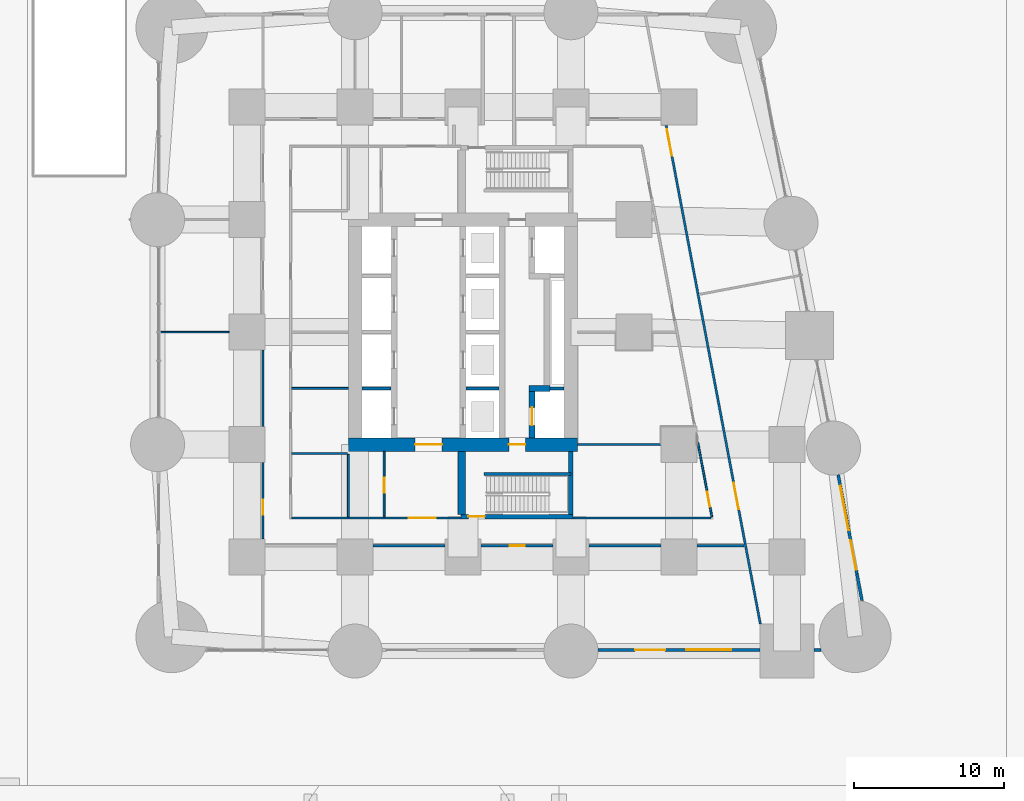
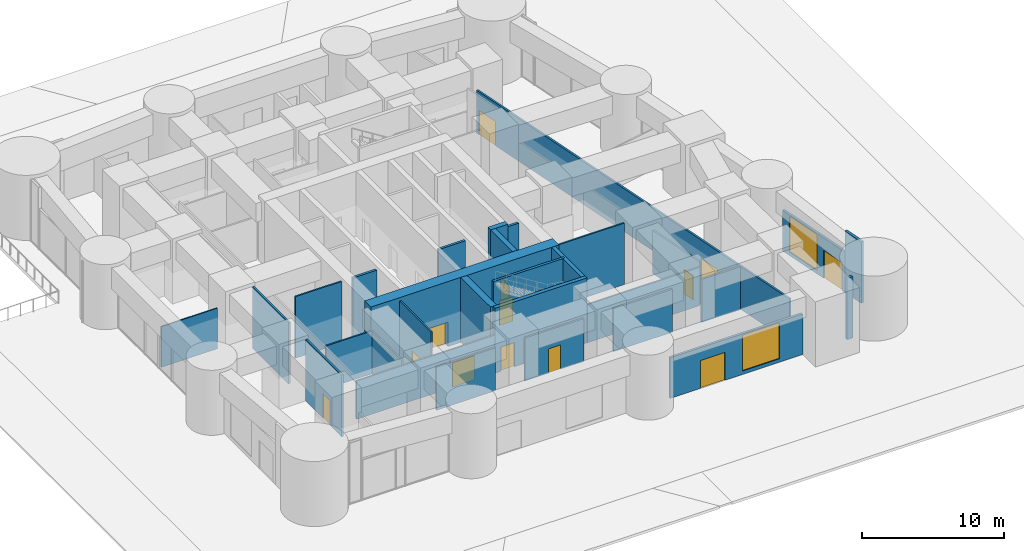
# One storey, part 9 of 16: 30 walls, 13 doors, 2 windows, 15 openings.
"""IFC4 building model written with IfcOpenShell, lengths in metres."""

from ifc_helpers import new_model, si_unit, direction, frame, frame_2d, origin, place, context, subcontext, project, spatial, rectangle, extrude, material, layer, layer_set, type_object, element, fill, save


model = new_model("IFC4")

# Units and contexts
model_context = context("Model", 3, precision=1e-05, world=origin(), true_north=direction((0.0, 1.0)))
body_context = subcontext(model_context, "Body", "Model", "MODEL_VIEW")
ifc_project = project(units=[si_unit("LENGTHUNIT", "METRE"), si_unit("AREAUNIT", "SQUARE_METRE"), si_unit("VOLUMEUNIT", "CUBIC_METRE"), si_unit("PLANEANGLEUNIT", "RADIAN"), si_unit("MASSUNIT", "GRAM", prefix="KILO")], contexts=[model_context])

# Site, building, storey
site_placement = place(None, origin())
site = spatial("IfcSite", under=ifc_project, at=site_placement, CompositionType="ELEMENT")
building_placement = place(site_placement, origin())
building = spatial("IfcBuilding", under=site, at=building_placement, Name="Sheger Commons Tower", CompositionType="ELEMENT")
storey_placement = place(building_placement, origin())
storey = spatial("IfcBuildingStorey", under=building, at=storey_placement, Name="L00", CompositionType="ELEMENT", Elevation=0.0)

# Wall, opening, door
ifc_material_1 = material(Name="Concrete C50/60", Category="concrete")
ifc_layer_1 = layer(ifc_material_1, 0.39990234375)
ifc_layer_set_1 = layer_set([ifc_layer_1], Name="CORE INNER WALL 400")
wall_type_1 = type_object("IfcWallType", Name="CORE INNER WALL 400", PredefinedType="SHEAR", material=ifc_layer_set_1)
wall_1_placement = place(storey_placement, frame((26.199951171875, 15.449951171875, 0.0), z_axis=(0.0, 0.0, 1.0), x_axis=(0.0, 1.0, 0.0)))
wall_1 = element("IfcWall", 1, at=wall_1_placement, inside=storey, type_object=wall_type_1, Name="Core inner wall F L00", PredefinedType="SHEAR", context=body_context, shape_type="SweptSolid", body=[
    extrude(rectangle(XDim=3.10009765625, YDim=0.39990234375, at=frame_2d((1.550048828125, 0.0))), origin(), (0.0, 0.0, 1.0), 5.60009765625),
])
opening_1_placement = place(wall_1_placement, frame((0.824951171875, 0.0, 0.0)))
opening_1 = element("IfcOpeningElement", 2, at=opening_1_placement, cuts=wall_1, Name="Opening LD2", PredefinedType="OPENING", context=body_context, shape_type="SweptSolid", body=[
    extrude(rectangle(XDim=1.199951171875, YDim=2.10009765625, at=frame_2d((0.60009765625, 1.050048828125))), frame((0.0, 0.2099609375, 0.0), z_axis=(0.0, -1.0, 0.0), x_axis=(1.0, 0.0, 0.0)), (0.0, 0.0, 1.0), 0.419921875),
])
ifc_material_2 = material(Name="Steel door set, fire rated", Category="steel")
door_type_1 = type_object("IfcDoorType", Name="FIREFIGHTING LIFT LANDING DOOR 1200x2100", OperationType="DOUBLE_DOOR_SLIDING", PredefinedType="DOOR", material=ifc_material_2)
door_1_placement = place(opening_1_placement, origin())
door_1 = element("IfcDoor", 3, at=door_1_placement, inside=storey, type_object=door_type_1, Name="Lift FL1 landing door", OperationType="DOUBLE_DOOR_SLIDING", OverallHeight=2.10009765625, OverallWidth=1.199951171875, PredefinedType="DOOR", context=body_context, shape_type="SweptSolid", body=[
    extrude(rectangle(XDim=1.199951171875, YDim=2.10009765625, at=frame_2d((0.60009765625, 1.050048828125))), frame((0.0, 0.02490234375, 0.0), z_axis=(0.0, -1.0, 0.0), x_axis=(1.0, 0.0, 0.0)), (0.0, 0.0, 1.0), 0.050048828125),
])
fill(opening_1, door_1)

# Wall
wall_2_placement = place(storey_placement, frame((26.0, 18.75, 0.0), z_axis=(0.0, 0.0, 1.0), x_axis=(1.0, 0.0, 0.0)))
element("IfcWall", 4, at=wall_2_placement, inside=storey, type_object=wall_type_1, Name="Core inner wall F south return L00", PredefinedType="SHEAR", context=body_context, shape_type="SweptSolid", body=[
    extrude(rectangle(XDim=1.39990234375, YDim=0.39990234375, at=frame_2d((0.699951171875, 0.0))), origin(), (0.0, 0.0, 1.0), 5.60009765625),
])

# Wall, openings, doors
ifc_material_3 = material(Name="Concrete C50/60", Category="concrete")
ifc_layer_2 = layer(ifc_material_3, 0.89990234375)
ifc_layer_set_2 = layer_set([ifc_layer_2], Name="CORE WALL 900")
wall_type_2 = type_object("IfcWallType", Name="CORE WALL 900", PredefinedType="SHEAR", material=ifc_layer_set_2)
wall_3_placement = place(storey_placement, frame((13.949951171875, 15.0, 0.0), z_axis=(0.0, 0.0, 1.0), x_axis=(1.0, 0.0, 0.0)))
wall_3 = element("IfcWall", 5, at=wall_3_placement, inside=storey, type_object=wall_type_2, Name="Core wall south L00", PredefinedType="SHEAR", context=body_context, shape_type="SweptSolid", body=[
    extrude(rectangle(XDim=15.300048828125, YDim=0.89990234375, at=frame_2d((7.64990234375, 0.0))), origin(), (0.0, 0.0, 1.0), 5.60009765625),
])
opening_2_placement = place(wall_3_placement, frame((4.449951171875, 0.0, 0.0)))
opening_2 = element("IfcOpeningElement", 6, at=opening_2_placement, cuts=wall_3, Name="Opening D6", PredefinedType="OPENING", context=body_context, shape_type="SweptSolid", body=[
    extrude(rectangle(XDim=1.800048828125, YDim=2.10009765625, at=frame_2d((0.89990234375, 1.050048828125))), frame((0.0, 0.4599609375, 0.0), z_axis=(0.0, -1.0, 0.0), x_axis=(1.0, 0.0, 0.0)), (0.0, 0.0, 1.0), 0.919921875),
])
opening_3_placement = place(wall_3_placement, frame((10.699951171875, 0.0, 0.0)))
opening_3 = element("IfcOpeningElement", 7, at=opening_3_placement, cuts=wall_3, Name="Opening D5", PredefinedType="OPENING", context=body_context, shape_type="SweptSolid", body=[
    extrude(rectangle(XDim=1.10009765625, YDim=2.10009765625, at=frame_2d((0.550048828125, 1.050048828125))), frame((0.0, 0.4599609375, 0.0), z_axis=(0.0, -1.0, 0.0), x_axis=(1.0, 0.0, 0.0)), (0.0, 0.0, 1.0), 0.919921875),
])
ifc_material_4 = material(Name="Steel door set, fire rated", Category="steel")
door_type_2 = type_object("IfcDoorType", Name="LOBBY DOUBLE DOOR 1800x2100", OperationType="DOUBLE_DOOR_SINGLE_SWING", PredefinedType="DOOR", material=ifc_material_4)
door_2_placement = place(opening_2_placement, origin())
door_2 = element("IfcDoor", 8, at=door_2_placement, inside=storey, type_object=door_type_2, Name="Lift lobby door", OperationType="DOUBLE_DOOR_SINGLE_SWING", OverallHeight=2.10009765625, OverallWidth=1.800048828125, PredefinedType="DOOR", context=body_context, shape_type="SweptSolid", body=[
    extrude(rectangle(XDim=1.800048828125, YDim=2.10009765625, at=frame_2d((0.89990234375, 1.050048828125))), frame((0.0, 0.02490234375, 0.0), z_axis=(0.0, -1.0, 0.0), x_axis=(1.0, 0.0, 0.0)), (0.0, 0.0, 1.0), 0.050048828125),
])
fill(opening_2, door_2)
ifc_material_5 = material(Name="Steel door set, fire rated", Category="steel")
door_type_3 = type_object("IfcDoorType", Name="STAIR DOOR 1100x2100", OperationType="NOTDEFINED", PredefinedType="DOOR", material=ifc_material_5)
door_3_placement = place(opening_3_placement, origin())
door_3 = element("IfcDoor", 9, at=door_3_placement, inside=storey, type_object=door_type_3, Name="Fire-fighting lobby door", OperationType="SINGLE_SWING_RIGHT", OverallHeight=2.10009765625, OverallWidth=1.10009765625, PredefinedType="DOOR", context=body_context, shape_type="SweptSolid", body=[
    extrude(rectangle(XDim=1.10009765625, YDim=2.10009765625, at=frame_2d((0.550048828125, 1.050048828125))), frame((0.0, 0.02490234375, 0.0), z_axis=(0.0, -1.0, 0.0), x_axis=(1.0, 0.0, 0.0)), (0.0, 0.0, 1.0), 0.050048828125),
])
fill(opening_3, door_3)

# Wall, opening, door
ifc_material_6 = material(Name="Hollow concrete block masonry, skimmed both sides", Category="masonry")
ifc_layer_3 = layer(ifc_material_6, 0.14990234375)
ifc_layer_set_3 = layer_set([ifc_layer_3], Name="CORRIDOR WALL 150")
wall_type_3 = type_object("IfcWallType", Name="CORRIDOR WALL 150", PredefinedType="SOLIDWALL", material=ifc_layer_set_3)
wall_4_placement = place(storey_placement, frame((8.25, 8.700927734375, 0.0), z_axis=(0.0, 0.0, 1.0), x_axis=(0.0, 1.0, 0.0)))
wall_4 = element("IfcWall", 10, at=wall_4_placement, inside=storey, type_object=wall_type_3, Name="Corridor wall L00", PredefinedType="SOLIDWALL", context=body_context, shape_type="SweptSolid", body=[
    extrude(rectangle(XDim=5.09814453125, YDim=0.14990234375, at=frame_2d((2.549072265625, 0.0))), origin(), (0.0, 0.0, 1.0), 5.300048828125),
])
opening_4_placement = place(wall_4_placement, frame((1.6240234375, 0.0, 0.0)))
opening_4 = element("IfcOpeningElement", 11, at=opening_4_placement, cuts=wall_4, Name="Opening D4", PredefinedType="OPENING", context=body_context, shape_type="SweptSolid", body=[
    extrude(rectangle(XDim=1.0, YDim=2.10009765625, at=frame_2d((0.5, 1.050048828125))), frame((0.0, 0.0849609375, 0.0), z_axis=(0.0, -1.0, 0.0), x_axis=(1.0, 0.0, 0.0)), (0.0, 0.0, 1.0), 0.169921875),
])
ifc_material_7 = material(Name="Steel door set, fire rated", Category="steel")
door_type_4 = type_object("IfcDoorType", Name="SERVICE DOOR 1000x2100", OperationType="NOTDEFINED", PredefinedType="DOOR", material=ifc_material_7)
door_4_placement = place(opening_4_placement, origin())
door_4 = element("IfcDoor", 12, at=door_4_placement, inside=storey, type_object=door_type_4, Name="Health centre entrance and reception door", OperationType="SINGLE_SWING_LEFT", OverallHeight=2.10009765625, OverallWidth=1.0, PredefinedType="DOOR", context=body_context, shape_type="SweptSolid", body=[
    extrude(rectangle(XDim=1.0, YDim=2.10009765625, at=frame_2d((0.5, 1.050048828125))), frame((0.0, 0.02490234375, 0.0), z_axis=(0.0, -1.0, 0.0), x_axis=(1.0, 0.0, 0.0)), (0.0, 0.0, 1.0), 0.050048828125),
])
fill(opening_4, door_4)

# Walls
wall_5_placement = place(storey_placement, frame((8.25, 16.200927734375, 0.0), z_axis=(0.0, 0.0, 1.0), x_axis=(0.0, 1.0, 0.0)))
element("IfcWall", 13, at=wall_5_placement, inside=storey, type_object=wall_type_3, Name="Corridor wall L00", PredefinedType="SOLIDWALL", context=body_context, shape_type="SweptSolid", body=[
    extrude(rectangle(XDim=5.09814453125, YDim=0.14990234375, at=frame_2d((2.549072265625, 0.0))), origin(), (0.0, 0.0, 1.0), 5.300048828125),
])
wall_6_placement = place(storey_placement, frame((40.35498046875, 8.25, 0.0), z_axis=(0.0, 0.0, 1.0), x_axis=(-1.0, 0.0, 0.0)))
element("IfcWall", 14, at=wall_6_placement, inside=storey, type_object=wall_type_3, Name="Corridor wall L00", PredefinedType="SOLIDWALL", context=body_context, shape_type="SweptSolid", body=[
    extrude(rectangle(XDim=3.154052734375, YDim=0.14990234375, at=frame_2d((1.5771484375, 0.0))), origin(), (0.0, 0.0, 1.0), 3.699951171875),
])
wall_7_placement = place(storey_placement, frame((34.799072265625, 8.25, 0.0), z_axis=(0.0, 0.0, 1.0), x_axis=(-1.0, 0.0, 0.0)))
element("IfcWall", 15, at=wall_7_placement, inside=storey, type_object=wall_type_3, Name="Corridor wall L00", PredefinedType="SOLIDWALL", context=body_context, shape_type="SweptSolid", body=[
    extrude(rectangle(XDim=4.798095703125, YDim=0.14990234375, at=frame_2d((2.39892578125, 0.0))), origin(), (0.0, 0.0, 1.0), 3.699951171875),
])

# Wall, opening, door
wall_8_placement = place(storey_placement, frame((27.59912109375, 8.25, 0.0), z_axis=(0.0, 0.0, 1.0), x_axis=(-1.0, 0.0, 0.0)))
wall_8 = element("IfcWall", 16, at=wall_8_placement, inside=storey, type_object=wall_type_3, Name="Corridor wall L00", PredefinedType="SOLIDWALL", context=body_context, shape_type="SweptSolid", body=[
    extrude(rectangle(XDim=4.798095703125, YDim=0.14990234375, at=frame_2d((2.39892578125, 0.0))), origin(), (0.0, 0.0, 1.0), 3.699951171875),
])
opening_5_placement = place(wall_8_placement, frame((1.89208984375, 0.0, 0.0)))
opening_5 = element("IfcOpeningElement", 17, at=opening_5_placement, cuts=wall_8, Name="Opening D4", PredefinedType="OPENING", context=body_context, shape_type="SweptSolid", body=[
    extrude(rectangle(XDim=1.0, YDim=2.10009765625, at=frame_2d((0.5, 1.050048828125))), frame((0.0, 0.0849609375, 0.0), z_axis=(0.0, -1.0, 0.0), x_axis=(1.0, 0.0, 0.0)), (0.0, 0.0, 1.0), 0.169921875),
])
door_5_placement = place(opening_5_placement, origin())
door_5 = element("IfcDoor", 18, at=door_5_placement, inside=storey, type_object=door_type_4, Name="Concourse door", OperationType="SINGLE_SWING_LEFT", OverallHeight=2.10009765625, OverallWidth=1.0, PredefinedType="DOOR", context=body_context, shape_type="SweptSolid", body=[
    extrude(rectangle(XDim=1.0, YDim=2.10009765625, at=frame_2d((0.5, 1.050048828125))), frame((0.0, 0.02490234375, 0.0), z_axis=(0.0, -1.0, 0.0), x_axis=(1.0, 0.0, 0.0)), (0.0, 0.0, 1.0), 0.050048828125),
])
fill(opening_5, door_5)

# Wall
wall_9_placement = place(storey_placement, frame((20.39892578125, 8.25, 0.0), z_axis=(0.0, 0.0, 1.0), x_axis=(-1.0, 0.0, 0.0)))
element("IfcWall", 19, at=wall_9_placement, inside=storey, type_object=wall_type_3, Name="Corridor wall L00", PredefinedType="SOLIDWALL", context=body_context, shape_type="SweptSolid", body=[
    extrude(rectangle(XDim=4.7978515625, YDim=0.14990234375, at=frame_2d((2.39892578125, 0.0))), origin(), (0.0, 0.0, 1.0), 3.699951171875),
])

# Wall, openings, doors
wall_10_placement = place(storey_placement, frame((35.15087890625, 36.284912109375, 0.0), z_axis=(0.0, 0.0, 1.0), x_axis=(0.185575970071, -0.982629919823, 0.0)))
wall_10 = element("IfcWall", 20, at=wall_10_placement, inside=storey, type_object=wall_type_3, Name="Corridor wall L00", PredefinedType="SOLIDWALL", context=body_context, shape_type="SweptSolid", body=[
    extrude(rectangle(XDim=33.8408203125, YDim=0.14990234375, at=frame_2d((16.92041015625, 0.0))), origin(), (0.0, 0.0, 1.0), 3.699951171875),
])
opening_6_placement = place(wall_10_placement, frame((0.25, 0.0, 0.0)))
opening_6 = element("IfcOpeningElement", 21, at=opening_6_placement, cuts=wall_10, Name="Opening D6", PredefinedType="OPENING", context=body_context, shape_type="SweptSolid", body=[
    extrude(rectangle(XDim=1.800048828125, YDim=2.10009765625, at=frame_2d((0.89990234375, 1.050048828125))), frame((0.0, 0.0849609375, 0.0), z_axis=(0.0, -1.0, 0.0), x_axis=(1.0, 0.0, 0.0)), (0.0, 0.0, 1.0), 0.169921875),
])
opening_7_placement = place(wall_10_placement, frame((24.260986328125, 0.0, 0.0)))
opening_7 = element("IfcOpeningElement", 22, at=opening_7_placement, cuts=wall_10, Name="Opening D6", PredefinedType="OPENING", context=body_context, shape_type="SweptSolid", body=[
    extrude(rectangle(XDim=1.800048828125, YDim=2.10009765625, at=frame_2d((0.89990234375, 1.050048828125))), frame((0.0, 0.0849609375, 0.0), z_axis=(0.0, -1.0, 0.0), x_axis=(1.0, 0.0, 0.0)), (0.0, 0.0, 1.0), 0.169921875),
])
door_6_placement = place(opening_6_placement, origin())
door_6 = element("IfcDoor", 23, at=door_6_placement, inside=storey, type_object=door_type_2, Name="Shop door", OperationType="DOUBLE_DOOR_SINGLE_SWING", OverallHeight=2.10009765625, OverallWidth=1.800048828125, PredefinedType="DOOR", context=body_context, shape_type="SweptSolid", body=[
    extrude(rectangle(XDim=1.800048828125, YDim=2.10009765625, at=frame_2d((0.89990234375, 1.050048828125))), frame((0.0, 0.02490234375, 0.0), z_axis=(0.0, -1.0, 0.0), x_axis=(1.0, 0.0, 0.0)), (0.0, 0.0, 1.0), 0.050048828125),
])
fill(opening_6, door_6)
door_7_placement = place(opening_7_placement, origin())
door_7 = element("IfcDoor", 24, at=door_7_placement, inside=storey, type_object=door_type_2, Name="Cafe door", OperationType="DOUBLE_DOOR_SINGLE_SWING", OverallHeight=2.10009765625, OverallWidth=1.800048828125, PredefinedType="DOOR", context=body_context, shape_type="SweptSolid", body=[
    extrude(rectangle(XDim=1.800048828125, YDim=2.10009765625, at=frame_2d((0.89990234375, 1.050048828125))), frame((0.0, 0.02490234375, 0.0), z_axis=(0.0, -1.0, 0.0), x_axis=(1.0, 0.0, 0.0)), (0.0, 0.0, 1.0), 0.050048828125),
])
fill(opening_7, door_7)

# Wall, openings, door, window
ifc_material_8 = material(Name="Rendered concrete block masonry, dark grey", Category="masonry")
ifc_layer_4 = layer(ifc_material_8, 0.199951171875)
ifc_layer_set_4 = layer_set([ifc_layer_4], Name="FACADE WALL 200")
wall_type_4 = type_object("IfcWallType", Name="FACADE WALL 200", PredefinedType="SOLIDWALL", material=ifc_layer_set_4)
wall_11_placement = place(storey_placement, frame((30.60107421875, 1.300048828125, 0.0), z_axis=(0.0, 0.0, 1.0), x_axis=(1.0, 0.0, 0.0)))
wall_11 = element("IfcWall", 25, at=wall_11_placement, inside=storey, type_object=wall_type_4, Name="Facade wall L00", PredefinedType="SOLIDWALL", context=body_context, shape_type="SweptSolid", body=[
    extrude(rectangle(XDim=10.7978515625, YDim=0.199951171875, at=frame_2d((5.39892578125, 0.0))), origin(), (0.0, 0.0, 1.0), 3.5),
])
opening_8_placement = place(wall_11_placement, frame((2.47412109375, 0.0, 0.0)))
opening_8 = element("IfcOpeningElement", 26, at=opening_8_placement, cuts=wall_11, Name="Opening DE1", PredefinedType="OPENING", context=body_context, shape_type="SweptSolid", body=[
    extrude(rectangle(XDim=2.0, YDim=2.39990234375, at=frame_2d((1.0, 1.199951171875))), frame((0.0, 0.10986328125, 0.0), z_axis=(0.0, -1.0, 0.0), x_axis=(1.0, 0.0, 0.0)), (0.0, 0.0, 1.0), 0.219970703125),
])
opening_9_placement = place(wall_11_placement, frame((5.89892578125, 0.0, 0.300048828125)))
opening_9 = element("IfcOpeningElement", 27, at=opening_9_placement, cuts=wall_11, Name="Opening W3", PredefinedType="OPENING", context=body_context, shape_type="SweptSolid", body=[
    extrude(rectangle(XDim=3.0, YDim=3.10009765625, at=frame_2d((1.5, 1.550048828125))), frame((0.0, 0.10986328125, 0.0), z_axis=(0.0, -1.0, 0.0), x_axis=(1.0, 0.0, 0.0)), (0.0, 0.0, 1.0), 0.219970703125),
])
ifc_material_9 = material(Name="Black aluminium frame, dark tinted glazing", Category="aluminium")
door_type_5 = type_object("IfcDoorType", Name="ENTRANCE DOUBLE DOOR 2000x2400", OperationType="DOUBLE_DOOR_SINGLE_SWING", PredefinedType="DOOR", material=ifc_material_9)
door_8_placement = place(opening_8_placement, origin())
door_8 = element("IfcDoor", 28, at=door_8_placement, inside=storey, type_object=door_type_5, Name="Entrance door", OperationType="DOUBLE_DOOR_SINGLE_SWING", OverallHeight=2.39990234375, OverallWidth=2.0, PredefinedType="DOOR", context=body_context, shape_type="SweptSolid", body=[
    extrude(rectangle(XDim=2.0, YDim=2.39990234375, at=frame_2d((1.0, 1.199951171875))), frame((0.0, 0.02490234375, 0.0), z_axis=(0.0, -1.0, 0.0), x_axis=(1.0, 0.0, 0.0)), (0.0, 0.0, 1.0), 0.050048828125),
])
fill(opening_8, door_8)
ifc_material_10 = material(Name="Black aluminium frame, dark tinted double glazing", Category="aluminium")
window_type = type_object("IfcWindowType", Name="SHOPFRONT GLAZING W3 3000x3100", PartitioningType="SINGLE_PANEL", PredefinedType="WINDOW", material=ifc_material_10)
window_1_placement = place(opening_9_placement, origin())
window_1 = element("IfcWindow", 29, at=window_1_placement, inside=storey, type_object=window_type, Name="Shopfront Glazing W3 3000X3100", OverallHeight=3.10009765625, OverallWidth=3.0, PartitioningType="SINGLE_PANEL", PredefinedType="WINDOW", context=body_context, shape_type="SweptSolid", body=[
    extrude(rectangle(XDim=3.0, YDim=3.10009765625, at=frame_2d((1.5, 1.550048828125))), frame((0.0, 0.030029296875, 0.0), z_axis=(0.0, -1.0, 0.0), x_axis=(1.0, 0.0, 0.0)), (0.0, 0.0, 1.0), 0.06005859375),
])
fill(opening_9, window_1)

# Walls
wall_12_placement = place(storey_placement, frame((45.0009765625, 1.300048828125, 0.0), z_axis=(0.0, 0.0, 1.0), x_axis=(1.0, 0.0, 0.0)))
element("IfcWall", 30, at=wall_12_placement, inside=storey, type_object=wall_type_4, Name="Facade wall L00", PredefinedType="SOLIDWALL", context=body_context, shape_type="SweptSolid", body=[
    extrude(rectangle(XDim=0.47412109375, YDim=0.199951171875, at=frame_2d((0.237060546875, 0.0))), origin(), (0.0, 0.0, 1.0), 5.300048828125),
])
wall_13_placement = place(storey_placement, frame((48.208984375, 4.596923828125, 0.0), z_axis=(0.0, 0.0, 1.0), x_axis=(-0.18578117006, 0.982591144297, 0.0)))
element("IfcWall", 31, at=wall_13_placement, inside=storey, type_object=wall_type_4, Name="Facade wall L00", PredefinedType="SOLIDWALL", context=body_context, shape_type="SweptSolid", body=[
    extrude(rectangle(XDim=1.787109375, YDim=0.199951171875, at=frame_2d((0.8935546875, 0.0))), origin(), (0.0, 0.0, 1.0), 5.300048828125),
])

# Wall, openings, door, window
wall_14_placement = place(storey_placement, frame((47.876953125, 6.35302734375, 0.0), z_axis=(0.0, 0.0, 1.0), x_axis=(-0.185530368296, 0.982638530916, 0.0)))
wall_14 = element("IfcWall", 32, at=wall_14_placement, inside=storey, type_object=wall_type_4, Name="Facade wall L00", PredefinedType="SOLIDWALL", context=body_context, shape_type="SweptSolid", body=[
    extrude(rectangle(XDim=6.753173828125, YDim=0.199951171875, at=frame_2d((3.37646484375, 0.0))), origin(), (0.0, 0.0, 1.0), 3.5),
])
opening_10_placement = place(wall_14_placement, frame((0.300048828125, 0.0, 0.0)))
opening_10 = element("IfcOpeningElement", 33, at=opening_10_placement, cuts=wall_14, Name="Opening DE1", PredefinedType="OPENING", context=body_context, shape_type="SweptSolid", body=[
    extrude(rectangle(XDim=2.0, YDim=2.39990234375, at=frame_2d((1.0, 1.199951171875))), frame((0.0, 0.10986328125, 0.0), z_axis=(0.0, -1.0, 0.0), x_axis=(1.0, 0.0, 0.0)), (0.0, 0.0, 1.0), 0.219970703125),
])
opening_11_placement = place(wall_14_placement, frame((2.98291015625, 0.0, 0.300048828125)))
opening_11 = element("IfcOpeningElement", 34, at=opening_11_placement, cuts=wall_14, Name="Opening W3", PredefinedType="OPENING", context=body_context, shape_type="SweptSolid", body=[
    extrude(rectangle(XDim=3.0, YDim=3.10009765625, at=frame_2d((1.5, 1.550048828125))), frame((0.0, 0.10986328125, 0.0), z_axis=(0.0, -1.0, 0.0), x_axis=(1.0, 0.0, 0.0)), (0.0, 0.0, 1.0), 0.219970703125),
])
door_9_placement = place(opening_10_placement, origin())
door_9 = element("IfcDoor", 35, at=door_9_placement, inside=storey, type_object=door_type_5, Name="Entrance door", OperationType="DOUBLE_DOOR_SINGLE_SWING", OverallHeight=2.39990234375, OverallWidth=2.0, PredefinedType="DOOR", context=body_context, shape_type="SweptSolid", body=[
    extrude(rectangle(XDim=2.0, YDim=2.39990234375, at=frame_2d((1.0, 1.199951171875))), frame((0.0, 0.02490234375, 0.0), z_axis=(0.0, -1.0, 0.0), x_axis=(1.0, 0.0, 0.0)), (0.0, 0.0, 1.0), 0.050048828125),
])
fill(opening_10, door_9)
window_2_placement = place(opening_11_placement, origin())
window_2 = element("IfcWindow", 36, at=window_2_placement, inside=storey, type_object=window_type, Name="Shopfront Glazing W3 3000X3100", OverallHeight=3.10009765625, OverallWidth=3.0, PartitioningType="SINGLE_PANEL", PredefinedType="WINDOW", context=body_context, shape_type="SweptSolid", body=[
    extrude(rectangle(XDim=3.0, YDim=3.10009765625, at=frame_2d((1.5, 1.550048828125))), frame((0.0, 0.030029296875, 0.0), z_axis=(0.0, -1.0, 0.0), x_axis=(1.0, 0.0, 0.0)), (0.0, 0.0, 1.0), 0.06005859375),
])
fill(opening_11, window_2)

# Walls
ifc_material_11 = material(Name="Gypsum board on steel studs", Category="steel")
ifc_layer_5 = layer(ifc_material_11, 0.10009765625)
ifc_layer_set_5 = layer_set([ifc_layer_5], Name="PARTITION 100")
wall_type_5 = type_object("IfcWallType", Name="PARTITION 100", PredefinedType="PARTITIONING", material=ifc_layer_set_5)
wall_15_placement = place(storey_placement, frame((1.425048828125, 22.5, 0.0), z_axis=(0.0, 0.0, 1.0), x_axis=(1.0, 0.0, 0.0)))
element("IfcWall", 37, at=wall_15_placement, inside=storey, type_object=wall_type_5, Name="Partition L00", PredefinedType="PARTITIONING", context=body_context, shape_type="SweptSolid", body=[
    extrude(rectangle(XDim=4.573974609375, YDim=0.10009765625, at=frame_2d((2.287109375, 0.0))), origin(), (0.0, 0.0, 1.0), 3.5),
])
ifc_material_12 = material(Name="Gypsum board on steel studs, two layers each side, fire rated", Category="steel")
ifc_layer_6 = layer(ifc_material_12, 0.125)
ifc_layer_set_6 = layer_set([ifc_layer_6], Name="SERVICE WALL 125")
wall_type_6 = type_object("IfcWallType", Name="SERVICE WALL 125", PredefinedType="PARTITIONING", material=ifc_layer_set_6)
wall_16_placement = place(storey_placement, frame((10.1630859375, 14.39990234375, 0.0), z_axis=(0.0, 0.0, 1.0), x_axis=(1.0, 0.0, 0.0)))
element("IfcWall", 38, at=wall_16_placement, inside=storey, type_object=wall_type_6, Name="Service room wall L00", PredefinedType="PARTITIONING", context=body_context, shape_type="SweptSolid", body=[
    extrude(rectangle(XDim=3.724853515625, YDim=0.125, at=frame_2d((1.8623046875, 0.0))), origin(), (0.0, 0.0, 1.0), 3.699951171875),
])
wall_17_placement = place(storey_placement, frame((13.949951171875, 10.1630859375, 0.0), z_axis=(0.0, 0.0, 1.0), x_axis=(0.0, 1.0, 0.0)))
element("IfcWall", 39, at=wall_17_placement, inside=storey, type_object=wall_type_6, Name="Service room wall L00", PredefinedType="PARTITIONING", context=body_context, shape_type="SweptSolid", body=[
    extrude(rectangle(XDim=4.1748046875, YDim=0.125, at=frame_2d((2.08740234375, 0.0))), origin(), (0.0, 0.0, 1.0), 3.699951171875),
])

# Wall, opening, door
wall_18_placement = place(storey_placement, frame((10.1630859375, 10.10009765625, 0.0), z_axis=(0.0, 0.0, 1.0), x_axis=(1.0, 0.0, 0.0)))
wall_18 = element("IfcWall", 40, at=wall_18_placement, inside=storey, type_object=wall_type_6, Name="Service room wall L00", PredefinedType="PARTITIONING", context=body_context, shape_type="SweptSolid", body=[
    extrude(rectangle(XDim=11.286865234375, YDim=0.125, at=frame_2d((5.6435546875, 0.0))), origin(), (0.0, 0.0, 1.0), 3.300048828125),
])
opening_12_placement = place(wall_18_placement, frame((7.83203125, 0.0, 0.0)))
opening_12 = element("IfcOpeningElement", 41, at=opening_12_placement, cuts=wall_18, Name="Opening D6", PredefinedType="OPENING", context=body_context, shape_type="SweptSolid", body=[
    extrude(rectangle(XDim=1.800048828125, YDim=2.10009765625, at=frame_2d((0.89990234375, 1.050048828125))), frame((0.0, 0.072509765625, 0.0), z_axis=(0.0, -1.0, 0.0), x_axis=(1.0, 0.0, 0.0)), (0.0, 0.0, 1.0), 0.14501953125),
])
door_10_placement = place(opening_12_placement, origin())
door_10 = element("IfcDoor", 42, at=door_10_placement, inside=storey, type_object=door_type_2, Name="Residential entrance lobby door", OperationType="DOUBLE_DOOR_SINGLE_SWING", OverallHeight=2.10009765625, OverallWidth=1.800048828125, PredefinedType="DOOR", context=body_context, shape_type="SweptSolid", body=[
    extrude(rectangle(XDim=1.800048828125, YDim=2.10009765625, at=frame_2d((0.89990234375, 1.050048828125))), frame((0.0, 0.02490234375, 0.0), z_axis=(0.0, -1.0, 0.0), x_axis=(1.0, 0.0, 0.0)), (0.0, 0.0, 1.0), 0.050048828125),
])
fill(opening_12, door_10)

wall_19_placement = place(storey_placement, frame((16.340087890625, 10.1630859375, 0.0), z_axis=(0.0, 0.0, 1.0), x_axis=(0.0, 1.0, 0.0)))
wall_19 = element("IfcWall", 43, at=wall_19_placement, inside=storey, type_object=wall_type_6, Name="Service room wall L00", PredefinedType="PARTITIONING", context=body_context, shape_type="SweptSolid", body=[
    extrude(rectangle(XDim=4.386962890625, YDim=0.125, at=frame_2d((2.193359375, 0.0))), origin(), (0.0, 0.0, 1.0), 5.300048828125),
])
opening_13_placement = place(wall_19_placement, frame((1.636962890625, 0.0, 0.0)))
opening_13 = element("IfcOpeningElement", 44, at=opening_13_placement, cuts=wall_19, Name="Opening D4", PredefinedType="OPENING", context=body_context, shape_type="SweptSolid", body=[
    extrude(rectangle(XDim=1.0, YDim=2.10009765625, at=frame_2d((0.5, 1.050048828125))), frame((0.0, 0.072509765625, 0.0), z_axis=(0.0, -1.0, 0.0), x_axis=(1.0, 0.0, 0.0)), (0.0, 0.0, 1.0), 0.14501953125),
])
door_11_placement = place(opening_13_placement, origin())
door_11 = element("IfcDoor", 45, at=door_11_placement, inside=storey, type_object=door_type_4, Name="Electrical room door", OperationType="SINGLE_SWING_LEFT", OverallHeight=2.10009765625, OverallWidth=1.0, PredefinedType="DOOR", context=body_context, shape_type="SweptSolid", body=[
    extrude(rectangle(XDim=1.0, YDim=2.10009765625, at=frame_2d((0.5, 1.050048828125))), frame((0.0, 0.02490234375, 0.0), z_axis=(0.0, -1.0, 0.0), x_axis=(1.0, 0.0, 0.0)), (0.0, 0.0, 1.0), 0.050048828125),
])
fill(opening_13, door_11)

# Wall
wall_20_placement = place(storey_placement, frame((28.949951171875, 10.10009765625, 0.0), z_axis=(0.0, 0.0, 1.0), x_axis=(1.0, 0.0, 0.0)))
element("IfcWall", 46, at=wall_20_placement, inside=storey, type_object=wall_type_6, Name="Service room wall L00", PredefinedType="PARTITIONING", context=body_context, shape_type="SweptSolid", body=[
    extrude(rectangle(XDim=9.18798828125, YDim=0.125, at=frame_2d((4.593994140625, 0.0))), origin(), (0.0, 0.0, 1.0), 3.300048828125),
])

# Wall, opening, door
wall_21_placement = place(storey_placement, frame((38.201904296875, 10.1630859375, 0.0), z_axis=(0.0, 0.0, 1.0), x_axis=(-0.185539561605, 0.982636795097, 0.0)))
wall_21 = element("IfcWall", 47, at=wall_21_placement, inside=storey, type_object=wall_type_6, Name="Service room wall L00", PredefinedType="PARTITIONING", context=body_context, shape_type="SweptSolid", body=[
    extrude(rectangle(XDim=5.06591796875, YDim=0.125, at=frame_2d((2.532958984375, 0.0))), origin(), (0.0, 0.0, 1.0), 3.699951171875),
])
opening_14_placement = place(wall_21_placement, frame((0.7080078125, 0.0, 0.0)))
opening_14 = element("IfcOpeningElement", 48, at=opening_14_placement, cuts=wall_21, Name="Opening D4", PredefinedType="OPENING", context=body_context, shape_type="SweptSolid", body=[
    extrude(rectangle(XDim=1.0, YDim=2.10009765625, at=frame_2d((0.5, 1.050048828125))), frame((0.0, 0.072509765625, 0.0), z_axis=(0.0, -1.0, 0.0), x_axis=(1.0, 0.0, 0.0)), (0.0, 0.0, 1.0), 0.14501953125),
])
door_12_placement = place(opening_14_placement, origin())
door_12 = element("IfcDoor", 49, at=door_12_placement, inside=storey, type_object=door_type_4, Name="Management office door", OperationType="SINGLE_SWING_LEFT", OverallHeight=2.10009765625, OverallWidth=1.0, PredefinedType="DOOR", context=body_context, shape_type="SweptSolid", body=[
    extrude(rectangle(XDim=1.0, YDim=2.10009765625, at=frame_2d((0.5, 1.050048828125))), frame((0.0, 0.02490234375, 0.0), z_axis=(0.0, -1.0, 0.0), x_axis=(1.0, 0.0, 0.0)), (0.0, 0.0, 1.0), 0.050048828125),
])
fill(opening_14, door_12)

# Walls
wall_22_placement = place(storey_placement, frame((29.25, 15.0, 0.0), z_axis=(0.0, 0.0, 1.0), x_axis=(1.0, 0.0, 0.0)))
element("IfcWall", 50, at=wall_22_placement, inside=storey, type_object=wall_type_6, Name="Service room wall L00", PredefinedType="PARTITIONING", context=body_context, shape_type="SweptSolid", body=[
    extrude(rectangle(XDim=5.549072265625, YDim=0.125, at=frame_2d((2.7744140625, 0.0))), origin(), (0.0, 0.0, 1.0), 5.300048828125),
])
wall_23_placement = place(storey_placement, frame((10.1630859375, 18.75, 0.0), z_axis=(0.0, 0.0, 1.0), x_axis=(1.0, 0.0, 0.0)))
element("IfcWall", 51, at=wall_23_placement, inside=storey, type_object=wall_type_6, Name="Service room wall L00", PredefinedType="PARTITIONING", context=body_context, shape_type="SweptSolid", body=[
    extrude(rectangle(XDim=3.786865234375, YDim=0.125, at=frame_2d((1.8935546875, 0.0))), origin(), (0.0, 0.0, 1.0), 5.300048828125),
])
ifc_material_13 = material(Name="Hollow concrete block masonry", Category="masonry")
ifc_layer_7 = layer(ifc_material_13, 0.199951171875)
ifc_layer_set_7 = layer_set([ifc_layer_7], Name="SHAFT WALL 200")
wall_type_7 = type_object("IfcWallType", Name="SHAFT WALL 200", PredefinedType="SOLIDWALL", material=ifc_layer_set_7)
wall_24_placement = place(storey_placement, frame((14.85009765625, 18.75, 0.0), z_axis=(0.0, 0.0, 1.0), x_axis=(1.0, 0.0, 0.0)))
element("IfcWall", 52, at=wall_24_placement, inside=storey, type_object=wall_type_7, Name="Lift shaft wall L00", PredefinedType="SOLIDWALL", context=body_context, shape_type="SweptSolid", body=[
    extrude(rectangle(XDim=1.949951171875, YDim=0.199951171875, at=frame_2d((0.97509765625, 0.0))), origin(), (0.0, 0.0, 1.0), 5.300048828125),
])
wall_25_placement = place(storey_placement, frame((21.800048828125, 18.75, 0.0), z_axis=(0.0, 0.0, 1.0), x_axis=(1.0, 0.0, 0.0)))
element("IfcWall", 53, at=wall_25_placement, inside=storey, type_object=wall_type_7, Name="Lift shaft wall L00", PredefinedType="SOLIDWALL", context=body_context, shape_type="SweptSolid", body=[
    extrude(rectangle(XDim=2.199951171875, YDim=0.199951171875, at=frame_2d((1.10009765625, 0.0))), origin(), (0.0, 0.0, 1.0), 5.300048828125),
])
wall_26_placement = place(storey_placement, frame((27.39990234375, 18.75, 0.0), z_axis=(0.0, 0.0, 1.0), x_axis=(1.0, 0.0, 0.0)))
element("IfcWall", 54, at=wall_26_placement, inside=storey, type_object=wall_type_7, Name="Lift shaft wall L00", PredefinedType="SOLIDWALL", context=body_context, shape_type="SweptSolid", body=[
    extrude(rectangle(XDim=0.9501953125, YDim=0.199951171875, at=frame_2d((0.47509765625, 0.0))), origin(), (0.0, 0.0, 1.0), 5.300048828125),
])

# Wall, opening, door
ifc_material_14 = material(Name="Concrete C50/60", Category="concrete")
ifc_layer_8 = layer(ifc_material_14, 0.300048828125)
ifc_layer_set_8 = layer_set([ifc_layer_8], Name="STAIR CORE WALL 300")
wall_type_8 = type_object("IfcWallType", Name="STAIR CORE WALL 300", PredefinedType="SHEAR", material=ifc_layer_set_8)
wall_27_placement = place(storey_placement, frame((21.449951171875, 10.199951171875, 0.0), z_axis=(0.0, 0.0, 1.0), x_axis=(1.0, 0.0, 0.0)))
wall_27 = element("IfcWall", 55, at=wall_27_placement, inside=storey, type_object=wall_type_8, Name="STW-L00-S1S", PredefinedType="SHEAR", context=body_context, shape_type="SweptSolid", body=[
    extrude(rectangle(XDim=7.5, YDim=0.300048828125, at=frame_2d((3.75, 0.0))), origin(), (0.0, 0.0, 1.0), 5.60009765625),
])
opening_15_placement = place(wall_27_placement, frame((0.5, 0.0, 0.0)))
opening_15 = element("IfcOpeningElement", 56, at=opening_15_placement, cuts=wall_27, Name="Opening D5", PredefinedType="OPENING", context=body_context, shape_type="SweptSolid", body=[
    extrude(rectangle(XDim=1.10009765625, YDim=2.10009765625, at=frame_2d((0.550048828125, 1.050048828125))), frame((0.0, 0.159912109375, 0.0), z_axis=(0.0, -1.0, 0.0), x_axis=(1.0, 0.0, 0.0)), (0.0, 0.0, 1.0), 0.320068359375),
])
door_13_placement = place(opening_15_placement, origin())
door_13 = element("IfcDoor", 57, at=door_13_placement, inside=storey, type_object=door_type_3, Name="Stair S1 door", OperationType="SINGLE_SWING_LEFT", OverallHeight=2.10009765625, OverallWidth=1.10009765625, PredefinedType="DOOR", context=body_context, shape_type="SweptSolid", body=[
    extrude(rectangle(XDim=1.10009765625, YDim=2.10009765625, at=frame_2d((0.550048828125, 1.050048828125))), frame((0.0, 0.02490234375, 0.0), z_axis=(0.0, -1.0, 0.0), x_axis=(1.0, 0.0, 0.0)), (0.0, 0.0, 1.0), 0.050048828125),
])
fill(opening_15, door_13)

# Walls
wall_28_placement = place(storey_placement, frame((28.800048828125, 10.35009765625, 0.0), z_axis=(0.0, 0.0, 1.0), x_axis=(0.0, 1.0, 0.0)))
element("IfcWall", 58, at=wall_28_placement, inside=storey, type_object=wall_type_8, Name="STW-L00-S1E", PredefinedType="SHEAR", context=body_context, shape_type="SweptSolid", body=[
    extrude(rectangle(XDim=4.199951171875, YDim=0.300048828125, at=frame_2d((2.10009765625, 0.0))), origin(), (0.0, 0.0, 1.0), 5.60009765625),
])
ifc_material_15 = material(Name="Concrete C50/60", Category="concrete")
ifc_layer_9 = layer(ifc_material_15, 0.5)
ifc_layer_set_9 = layer_set([ifc_layer_9], Name="STAIR CORE WALL 500")
wall_type_9 = type_object("IfcWallType", Name="STAIR CORE WALL 500", PredefinedType="SHEAR", material=ifc_layer_set_9)
wall_29_placement = place(storey_placement, frame((21.5, 10.35009765625, 0.0), z_axis=(0.0, 0.0, 1.0), x_axis=(0.0, 1.0, 0.0)))
element("IfcWall", 59, at=wall_29_placement, inside=storey, type_object=wall_type_9, Name="STW-L00-S1W", PredefinedType="SHEAR", context=body_context, shape_type="SweptSolid", body=[
    extrude(rectangle(XDim=4.199951171875, YDim=0.5, at=frame_2d((2.10009765625, 0.0))), origin(), (0.0, 0.0, 1.0), 5.60009765625),
])
ifc_material_16 = material(Name="Concrete C50/60", Category="concrete")
ifc_layer_10 = layer(ifc_material_16, 0.199951171875)
ifc_layer_set_10 = layer_set([ifc_layer_10], Name="STAIR SPINE WALL 200")
wall_type_10 = type_object("IfcWallType", Name="STAIR SPINE WALL 200", PredefinedType="SHEAR", material=ifc_layer_set_10)
wall_30_placement = place(storey_placement, frame((23.0, 13.050048828125, 0.0), z_axis=(0.0, 0.0, 1.0), x_axis=(1.0, 0.0, 0.0)))
element("IfcWall", 60, at=wall_30_placement, inside=storey, type_object=wall_type_10, Name="Stair spine wall L00", PredefinedType="SHEAR", context=body_context, shape_type="SweptSolid", body=[
    extrude(rectangle(XDim=5.800048828125, YDim=0.199951171875, at=frame_2d((2.89990234375, 0.0))), origin(), (0.0, 0.0, 1.0), 5.60009765625),
])

save(model, "model.ifc")
